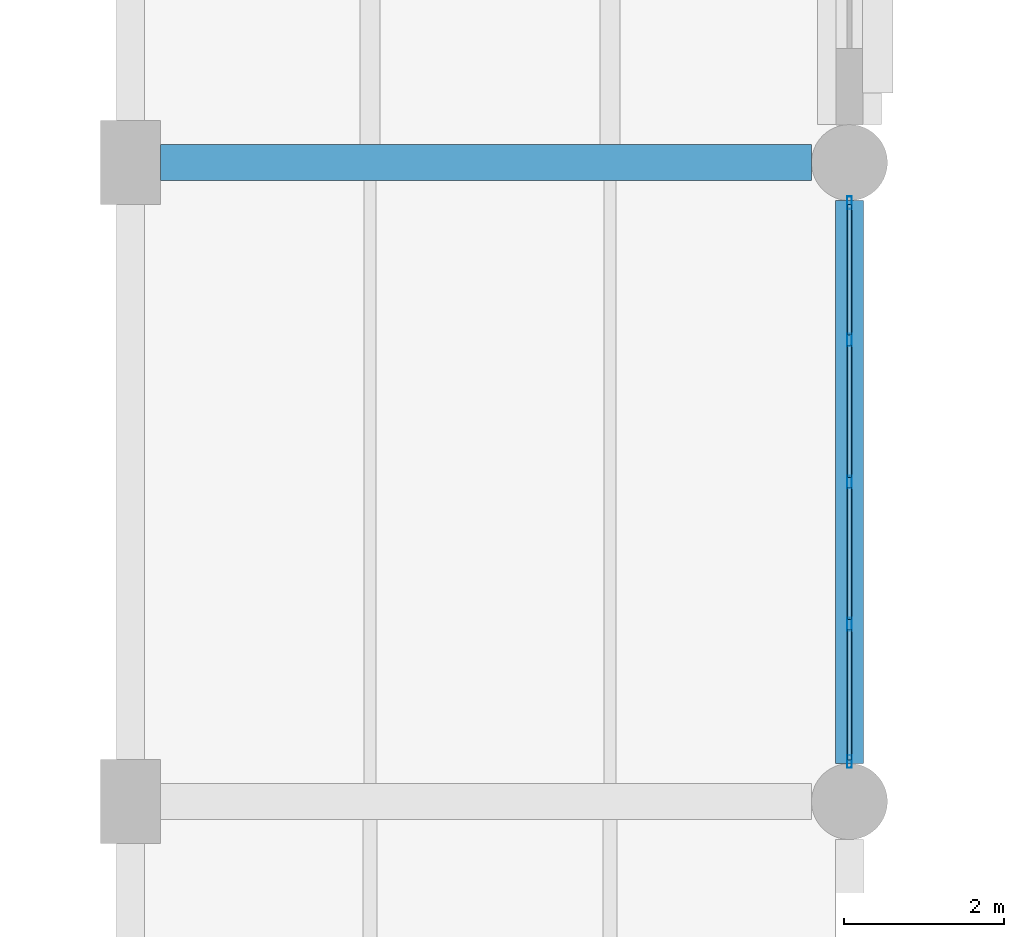
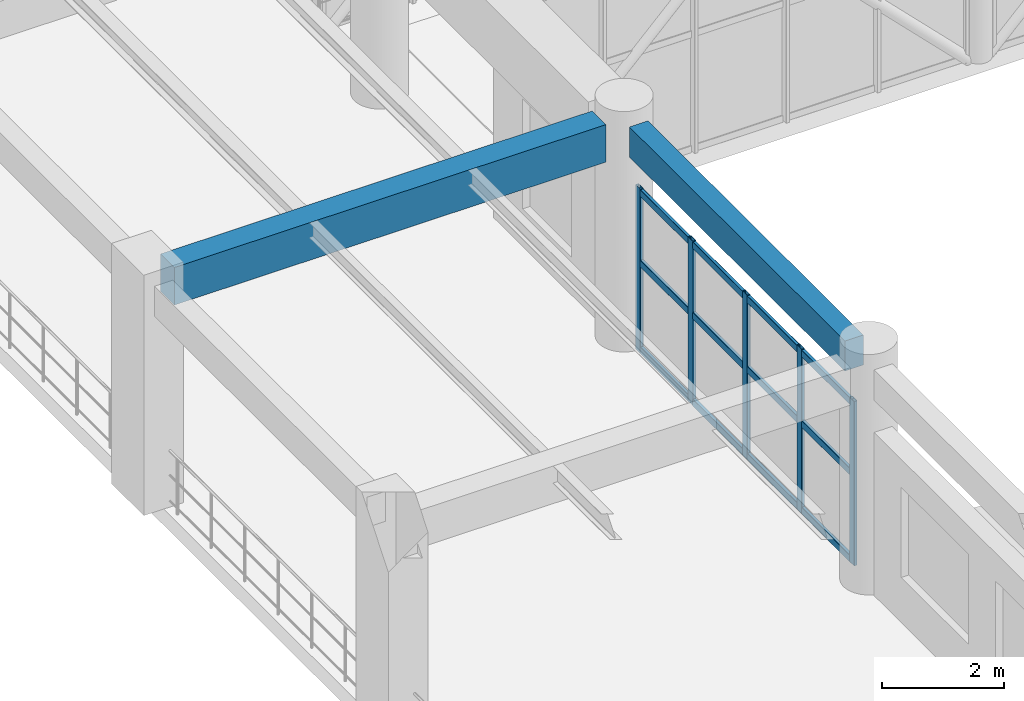
# One storey, part 54 of 178: 17 members, 2 beams, 1 element without a shape of its own.
"""IFC4 building model written with IfcOpenShell, lengths in metres."""

from ifc_helpers import new_model, si_unit, derived_unit, direction, frame, origin, origin_2d, place, context, subcontext, project, spatial, rectangle, hollow_rectangle, extrude, material, material_profile, profile_set, type_object, element, aggregate, save


model = new_model("IFC4")

# Units and contexts
model_context = context("Model", 3, precision=1e-05, world=origin(), true_north=direction((0.0, 1.0)))
body_context = subcontext(model_context, "Body", "Model", "MODEL_VIEW")
ifc_project = project(units=[si_unit("LENGTHUNIT", "METRE"), si_unit("AREAUNIT", "SQUARE_METRE"), si_unit("VOLUMEUNIT", "CUBIC_METRE"), si_unit("PLANEANGLEUNIT", "RADIAN"), si_unit("MASSUNIT", "GRAM", prefix="KILO"), derived_unit("THERMALTRANSMITTANCEUNIT", [(si_unit("MASSUNIT", "GRAM", prefix="KILO"), 1), (si_unit("TIMEUNIT", "SECOND"), -3), (si_unit("THERMODYNAMICTEMPERATUREUNIT", "KELVIN"), -1)])], contexts=[model_context])

# Site, building, storey
site_placement = place(None, origin())
site = spatial("IfcSite", under=ifc_project, at=site_placement, CompositionType="ELEMENT")
building_placement = place(site_placement, origin())
building = spatial("IfcBuilding", under=site, at=building_placement, Name="Zhenchuan Archway Interchange", CompositionType="ELEMENT")
storey_placement = place(building_placement, frame((0.0, 0.0, 5.39990234375)))
storey = spatial("IfcBuildingStorey", under=building, at=storey_placement, Name="L01", CompositionType="ELEMENT", Elevation=5.39990234375)

# Beam
ifc_material_1 = material(Name="Concrete C40", Category="concrete")
ifc_material_profile_1 = material_profile(ifc_material_1, rectangle(XDim=0.449951171875, YDim=0.75, at=origin_2d()), Name="RC 450x750")
ifc_profile_set_1 = profile_set([ifc_material_profile_1], Name="Concrete C40")
beam_type_1 = type_object("IfcBeamType", Name="BM_RC_450x750", PredefinedType="BEAM", material=ifc_profile_set_1)
beam_1_placement = place(storey_placement, frame((63.375, 48.0, 4.135009765625), z_axis=(1.0, 0.0, 0.0), x_axis=(0.0, 1.0, 0.0)))
element("IfcBeam", 1, at=beam_1_placement, inside=storey, type_object=beam_type_1, Name="Beam G:8-9 (L01)", PredefinedType="BEAM", context=body_context, shape_type="SweptSolid", body=[
    extrude(rectangle(XDim=0.449951171875, YDim=0.75, at=origin_2d()), origin(), (0.0, 0.0, 1.0), 8.14990234375),
])

# Curtain wall, members
ifc_material_2 = material(Name="Anodised Aluminium", Category="aluminium")
curtain_wall_type = type_object("IfcCurtainWallType", Name="CW_UNIT_3", PredefinedType="NOTDEFINED", material=ifc_material_2)
curtain_wall_placement = place(storey_placement, origin())
curtain_wall = element("IfcCurtainWall", 2, at=curtain_wall_placement, inside=storey, type_object=curtain_wall_type, Name="Unitised curtain wall CW:L01:078", PredefinedType="NOTDEFINED")
ifc_material_profile_2 = material_profile(ifc_material_2, hollow_rectangle(XDim=0.06005859375, YDim=0.159912109375, WallThickness=0.00390625, InnerFilletRadius=0.00390625, OuterFilletRadius=0.008056640625, at=origin_2d()), Name="ALU 160x60x4")
ifc_profile_set_2 = profile_set([ifc_material_profile_2], Name="Anodised Aluminium")
member_type_1 = type_object("IfcMemberType", Name="CW_MUL_150", PredefinedType="MULLION", material=ifc_profile_set_2)
member_1_placement = place(storey_placement, frame((72.0, 47.498046875, 0.0), z_axis=(0.0, 0.0, 1.0), x_axis=(1.0, 0.0, 0.0)))
member_1 = element("IfcMember", 3, at=member_1_placement, type_object=member_type_1, Name="CW:L01:078 mullion 0", PredefinedType="MULLION", context=body_context, shape_type="SweptSolid", body=[
    extrude(hollow_rectangle(XDim=0.06005859375, YDim=0.159912109375, WallThickness=0.00390625, InnerFilletRadius=0.00390625, OuterFilletRadius=0.008056640625, at=origin_2d()), origin(), (0.0, 0.0, 1.0), 3.280029296875),
])
member_2_placement = place(storey_placement, frame((72.0, 45.779052734375, 0.0), z_axis=(0.0, 0.0, 1.0), x_axis=(1.0, 0.0, 0.0)))
member_2 = element("IfcMember", 4, at=member_2_placement, type_object=member_type_1, Name="CW:L01:078 mullion 1", PredefinedType="MULLION", context=body_context, shape_type="SweptSolid", body=[
    extrude(hollow_rectangle(XDim=0.06005859375, YDim=0.159912109375, WallThickness=0.00390625, InnerFilletRadius=0.00390625, OuterFilletRadius=0.008056640625, at=origin_2d()), origin(), (0.0, 0.0, 1.0), 3.280029296875),
])
member_3_placement = place(storey_placement, frame((72.0, 44.0, 0.0), z_axis=(0.0, 0.0, 1.0), x_axis=(1.0, 0.0, 0.0)))
member_3 = element("IfcMember", 5, at=member_3_placement, type_object=member_type_1, Name="CW:L01:078 mullion 2", PredefinedType="MULLION", context=body_context, shape_type="SweptSolid", body=[
    extrude(hollow_rectangle(XDim=0.06005859375, YDim=0.159912109375, WallThickness=0.00390625, InnerFilletRadius=0.00390625, OuterFilletRadius=0.008056640625, at=origin_2d()), origin(), (0.0, 0.0, 1.0), 3.280029296875),
])
member_4_placement = place(storey_placement, frame((72.0, 42.220947265625, 0.0), z_axis=(0.0, 0.0, 1.0), x_axis=(1.0, 0.0, 0.0)))
member_4 = element("IfcMember", 6, at=member_4_placement, type_object=member_type_1, Name="CW:L01:078 mullion 3", PredefinedType="MULLION", context=body_context, shape_type="SweptSolid", body=[
    extrude(hollow_rectangle(XDim=0.06005859375, YDim=0.159912109375, WallThickness=0.00390625, InnerFilletRadius=0.00390625, OuterFilletRadius=0.008056640625, at=origin_2d()), origin(), (0.0, 0.0, 1.0), 3.280029296875),
])
member_5_placement = place(storey_placement, frame((72.0, 40.501953125, 0.0), z_axis=(0.0, 0.0, 1.0), x_axis=(1.0, 0.0, 0.0)))
member_5 = element("IfcMember", 7, at=member_5_placement, type_object=member_type_1, Name="CW:L01:078 mullion 4", PredefinedType="MULLION", context=body_context, shape_type="SweptSolid", body=[
    extrude(hollow_rectangle(XDim=0.06005859375, YDim=0.159912109375, WallThickness=0.00390625, InnerFilletRadius=0.00390625, OuterFilletRadius=0.008056640625, at=origin_2d()), origin(), (0.0, 0.0, 1.0), 3.280029296875),
])
ifc_material_profile_3 = material_profile(ifc_material_2, hollow_rectangle(XDim=0.06005859375, YDim=0.139892578125, WallThickness=0.00341796875, InnerFilletRadius=0.00341796875, OuterFilletRadius=0.007080078125, at=origin_2d()), Name="ALU 140x60x3.5")
ifc_profile_set_3 = profile_set([ifc_material_profile_3], Name="Anodised Aluminium")
member_type_2 = type_object("IfcMemberType", Name="CW_TRN_140", PredefinedType="USERDEFINED", material=ifc_profile_set_3)
member_6_placement = place(storey_placement, frame((72.0, 47.47802734375, 0.06005859375), z_axis=(0.0, -1.0, 0.0), x_axis=(1.0, 0.0, 0.0)))
member_6 = element("IfcMember", 8, at=member_6_placement, type_object=member_type_2, Name="CW:L01:078 transom 0-1", ObjectType="TRANSOM", PredefinedType="USERDEFINED", context=body_context, shape_type="SweptSolid", body=[
    extrude(hollow_rectangle(XDim=0.06005859375, YDim=0.139892578125, WallThickness=0.00341796875, InnerFilletRadius=0.00341796875, OuterFilletRadius=0.007080078125, at=origin_2d()), origin(), (0.0, 0.0, 1.0), 1.638916015625),
])
member_7_placement = place(storey_placement, frame((72.0, 47.47802734375, 1.793212890625), z_axis=(0.0, -1.0, 0.0), x_axis=(1.0, 0.0, 0.0)))
member_7 = element("IfcMember", 9, at=member_7_placement, type_object=member_type_2, Name="CW:L01:078 transom 0-2", ObjectType="TRANSOM", PredefinedType="USERDEFINED", context=body_context, shape_type="SweptSolid", body=[
    extrude(hollow_rectangle(XDim=0.06005859375, YDim=0.139892578125, WallThickness=0.00341796875, InnerFilletRadius=0.00341796875, OuterFilletRadius=0.007080078125, at=origin_2d()), origin(), (0.0, 0.0, 1.0), 1.638916015625),
])
member_8_placement = place(storey_placement, frame((72.0, 47.47802734375, 3.2001953125), z_axis=(0.0, -1.0, 0.0), x_axis=(1.0, 0.0, 0.0)))
member_8 = element("IfcMember", 10, at=member_8_placement, type_object=member_type_2, Name="CW:L01:078 transom 0-3", ObjectType="TRANSOM", PredefinedType="USERDEFINED", context=body_context, shape_type="SweptSolid", body=[
    extrude(hollow_rectangle(XDim=0.06005859375, YDim=0.139892578125, WallThickness=0.00341796875, InnerFilletRadius=0.00341796875, OuterFilletRadius=0.007080078125, at=origin_2d()), origin(), (0.0, 0.0, 1.0), 1.638916015625),
])
member_9_placement = place(storey_placement, frame((72.0, 45.718994140625, 0.06005859375), z_axis=(0.0, -1.0, 0.0), x_axis=(1.0, 0.0, 0.0)))
member_9 = element("IfcMember", 11, at=member_9_placement, type_object=member_type_2, Name="CW:L01:078 transom 1-1", ObjectType="TRANSOM", PredefinedType="USERDEFINED", context=body_context, shape_type="SweptSolid", body=[
    extrude(hollow_rectangle(XDim=0.06005859375, YDim=0.139892578125, WallThickness=0.00341796875, InnerFilletRadius=0.00341796875, OuterFilletRadius=0.007080078125, at=origin_2d()), origin(), (0.0, 0.0, 1.0), 1.658935546875),
])
member_10_placement = place(storey_placement, frame((72.0, 45.718994140625, 1.793212890625), z_axis=(0.0, -1.0, 0.0), x_axis=(1.0, 0.0, 0.0)))
member_10 = element("IfcMember", 12, at=member_10_placement, type_object=member_type_2, Name="CW:L01:078 transom 1-2", ObjectType="TRANSOM", PredefinedType="USERDEFINED", context=body_context, shape_type="SweptSolid", body=[
    extrude(hollow_rectangle(XDim=0.06005859375, YDim=0.139892578125, WallThickness=0.00341796875, InnerFilletRadius=0.00341796875, OuterFilletRadius=0.007080078125, at=origin_2d()), origin(), (0.0, 0.0, 1.0), 1.658935546875),
])
member_11_placement = place(storey_placement, frame((72.0, 45.718994140625, 3.2001953125), z_axis=(0.0, -1.0, 0.0), x_axis=(1.0, 0.0, 0.0)))
member_11 = element("IfcMember", 13, at=member_11_placement, type_object=member_type_2, Name="CW:L01:078 transom 1-3", ObjectType="TRANSOM", PredefinedType="USERDEFINED", context=body_context, shape_type="SweptSolid", body=[
    extrude(hollow_rectangle(XDim=0.06005859375, YDim=0.139892578125, WallThickness=0.00341796875, InnerFilletRadius=0.00341796875, OuterFilletRadius=0.007080078125, at=origin_2d()), origin(), (0.0, 0.0, 1.0), 1.658935546875),
])
member_12_placement = place(storey_placement, frame((72.0, 43.93994140625, 0.06005859375), z_axis=(0.0, -1.0, 0.0), x_axis=(1.0, 0.0, 0.0)))
member_12 = element("IfcMember", 14, at=member_12_placement, type_object=member_type_2, Name="CW:L01:078 transom 2-1", ObjectType="TRANSOM", PredefinedType="USERDEFINED", context=body_context, shape_type="SweptSolid", body=[
    extrude(hollow_rectangle(XDim=0.06005859375, YDim=0.139892578125, WallThickness=0.00341796875, InnerFilletRadius=0.00341796875, OuterFilletRadius=0.007080078125, at=origin_2d()), origin(), (0.0, 0.0, 1.0), 1.658935546875),
])
member_13_placement = place(storey_placement, frame((72.0, 43.93994140625, 1.793212890625), z_axis=(0.0, -1.0, 0.0), x_axis=(1.0, 0.0, 0.0)))
member_13 = element("IfcMember", 15, at=member_13_placement, type_object=member_type_2, Name="CW:L01:078 transom 2-2", ObjectType="TRANSOM", PredefinedType="USERDEFINED", context=body_context, shape_type="SweptSolid", body=[
    extrude(hollow_rectangle(XDim=0.06005859375, YDim=0.139892578125, WallThickness=0.00341796875, InnerFilletRadius=0.00341796875, OuterFilletRadius=0.007080078125, at=origin_2d()), origin(), (0.0, 0.0, 1.0), 1.658935546875),
])
member_14_placement = place(storey_placement, frame((72.0, 43.93994140625, 3.2001953125), z_axis=(0.0, -1.0, 0.0), x_axis=(1.0, 0.0, 0.0)))
member_14 = element("IfcMember", 16, at=member_14_placement, type_object=member_type_2, Name="CW:L01:078 transom 2-3", ObjectType="TRANSOM", PredefinedType="USERDEFINED", context=body_context, shape_type="SweptSolid", body=[
    extrude(hollow_rectangle(XDim=0.06005859375, YDim=0.139892578125, WallThickness=0.00341796875, InnerFilletRadius=0.00341796875, OuterFilletRadius=0.007080078125, at=origin_2d()), origin(), (0.0, 0.0, 1.0), 1.658935546875),
])
member_15_placement = place(storey_placement, frame((72.0, 42.160888671875, 0.06005859375), z_axis=(0.0, -1.0, 0.0), x_axis=(1.0, 0.0, 0.0)))
member_15 = element("IfcMember", 17, at=member_15_placement, type_object=member_type_2, Name="CW:L01:078 transom 3-1", ObjectType="TRANSOM", PredefinedType="USERDEFINED", context=body_context, shape_type="SweptSolid", body=[
    extrude(hollow_rectangle(XDim=0.06005859375, YDim=0.139892578125, WallThickness=0.00341796875, InnerFilletRadius=0.00341796875, OuterFilletRadius=0.007080078125, at=origin_2d()), origin(), (0.0, 0.0, 1.0), 1.638916015625),
])
member_16_placement = place(storey_placement, frame((72.0, 42.160888671875, 1.793212890625), z_axis=(0.0, -1.0, 0.0), x_axis=(1.0, 0.0, 0.0)))
member_16 = element("IfcMember", 18, at=member_16_placement, type_object=member_type_2, Name="CW:L01:078 transom 3-2", ObjectType="TRANSOM", PredefinedType="USERDEFINED", context=body_context, shape_type="SweptSolid", body=[
    extrude(hollow_rectangle(XDim=0.06005859375, YDim=0.139892578125, WallThickness=0.00341796875, InnerFilletRadius=0.00341796875, OuterFilletRadius=0.007080078125, at=origin_2d()), origin(), (0.0, 0.0, 1.0), 1.638916015625),
])
member_17_placement = place(storey_placement, frame((72.0, 42.160888671875, 3.2001953125), z_axis=(0.0, -1.0, 0.0), x_axis=(1.0, 0.0, 0.0)))
member_17 = element("IfcMember", 19, at=member_17_placement, type_object=member_type_2, Name="CW:L01:078 transom 3-3", ObjectType="TRANSOM", PredefinedType="USERDEFINED", context=body_context, shape_type="SweptSolid", body=[
    extrude(hollow_rectangle(XDim=0.06005859375, YDim=0.139892578125, WallThickness=0.00341796875, InnerFilletRadius=0.00341796875, OuterFilletRadius=0.007080078125, at=origin_2d()), origin(), (0.0, 0.0, 1.0), 1.638916015625),
])
aggregate(curtain_wall, [member_1, member_2, member_3, member_4, member_5, member_6, member_7, member_8, member_9, member_10, member_11, member_12, member_13, member_14, member_15, member_16, member_17])

# Beam
ifc_material_profile_4 = material_profile(ifc_material_1, rectangle(XDim=0.35009765625, YDim=0.60009765625, at=origin_2d()), Name="RC 350x600")
ifc_profile_set_4 = profile_set([ifc_material_profile_4], Name="Concrete C40")
beam_type_2 = type_object("IfcBeamType", Name="SP_RC_350x600", PredefinedType="SPANDREL", material=ifc_profile_set_4)
beam_2_placement = place(storey_placement, frame((72.0, 40.47509765625, 4.210205078125), z_axis=(0.0, 1.0, 0.0), x_axis=(-1.0, 0.0, 0.0)))
element("IfcBeam", 20, at=beam_2_placement, inside=storey, type_object=beam_type_2, Name="Beam 9:F-G (L01)", PredefinedType="SPANDREL", context=body_context, shape_type="SweptSolid", body=[
    extrude(rectangle(XDim=0.35009765625, YDim=0.60009765625, at=origin_2d()), origin(), (0.0, 0.0, 1.0), 7.0498046875),
])

save(model, "model.ifc")
